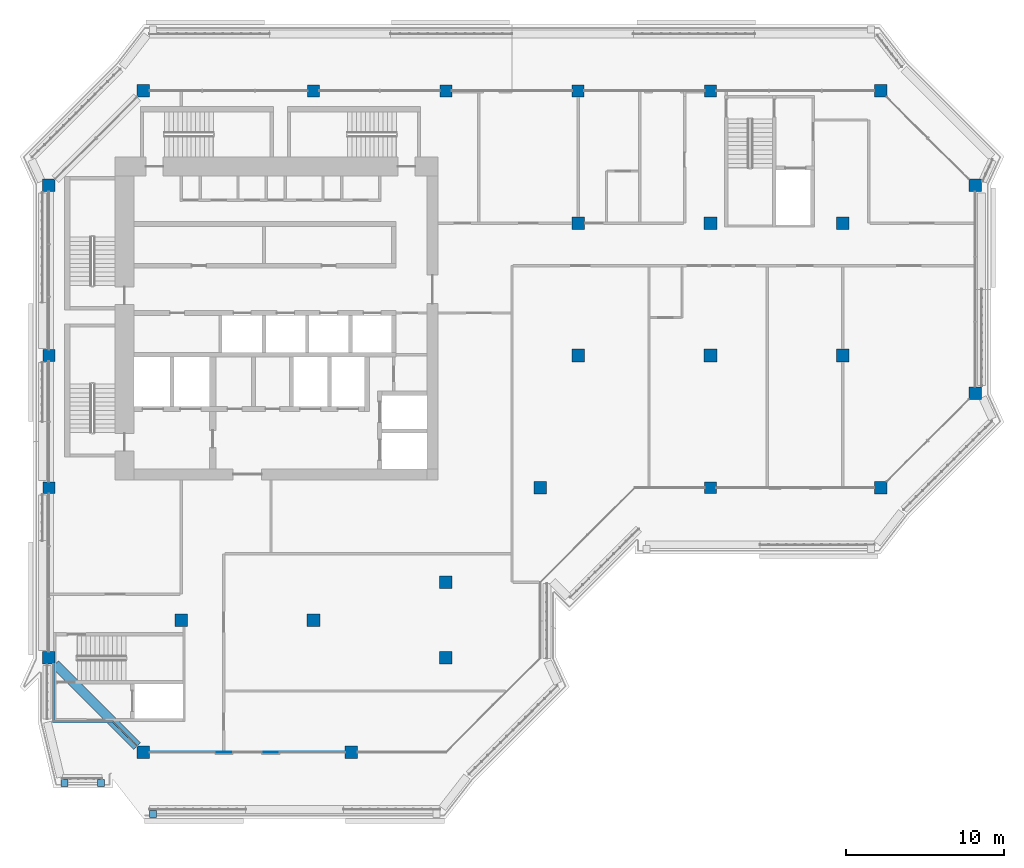
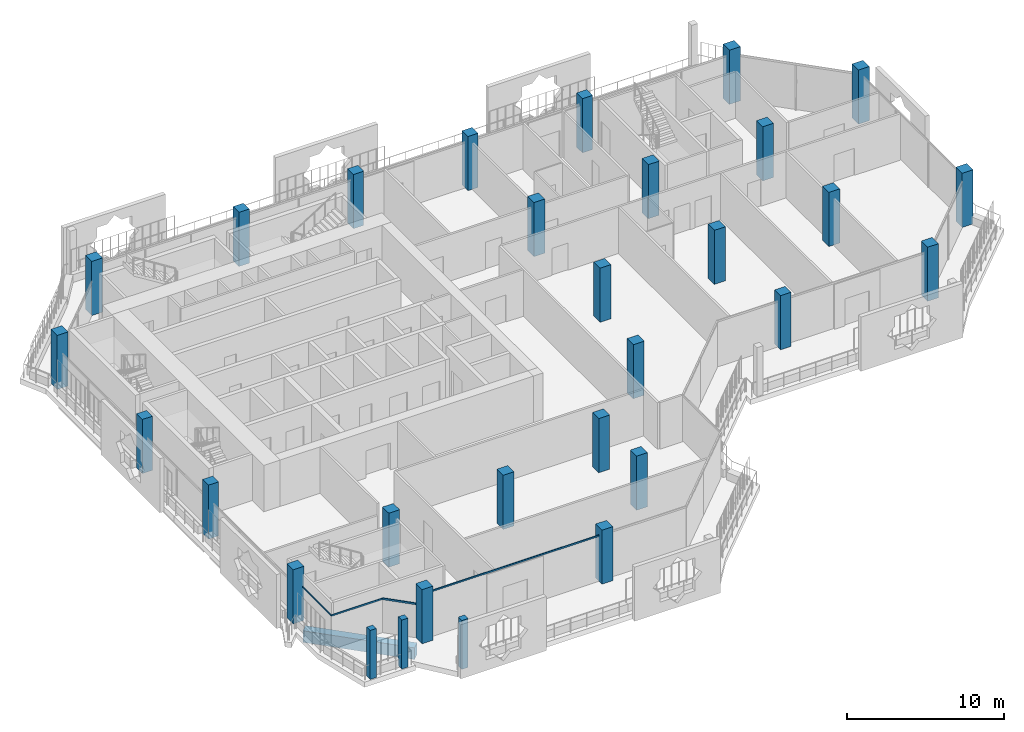
# One storey, part 1 of 21: 27 columns, 7 members, 1 beam, 5 elements without a shape of their own.
"""IFC4 building model written with IfcOpenShell, lengths in metres."""

from ifc_helpers import new_model, si_unit, direction, frame, origin, origin_2d, place, context, subcontext, project, spatial, rectangle, extrude, material, layer, layer_set, material_profile, profile_set, type_object, element, aggregate, save


model = new_model("IFC4")

# Units and contexts
model_context = context("Model", 3, precision=1e-05, world=origin(), true_north=direction((0.0, 1.0)))
body_context = subcontext(model_context, "Body", "Model", "MODEL_VIEW")
ifc_project = project(units=[si_unit("LENGTHUNIT", "METRE"), si_unit("AREAUNIT", "SQUARE_METRE"), si_unit("VOLUMEUNIT", "CUBIC_METRE"), si_unit("PLANEANGLEUNIT", "RADIAN"), si_unit("MASSUNIT", "GRAM", prefix="KILO")], contexts=[model_context])

# Site, building, storey
site_placement = place(None, origin())
site = spatial("IfcSite", under=ifc_project, at=site_placement, CompositionType="ELEMENT")
building_placement = place(site_placement, origin())
building = spatial("IfcBuilding", under=site, at=building_placement, Name="Kawkab Arch Medical Tower", CompositionType="ELEMENT")
storey_placement = place(building_placement, frame((0.0, 0.0, 302.800048828125)))
storey = spatial("IfcBuildingStorey", under=building, at=storey_placement, Name="L70", CompositionType="ELEMENT", Elevation=302.800048828125)

# Columns
ifc_material_1 = material(Name="Concrete C40/50", Category="concrete")
ifc_material_profile_1 = material_profile(ifc_material_1, rectangle(XDim=0.75, YDim=0.75, at=origin_2d()), Name="RC 750x750")
ifc_profile_set_1 = profile_set([ifc_material_profile_1], Name="Concrete C40/50")
column_type_1 = type_object("IfcColumnType", Name="RC 750x750 column C40/50", PredefinedType="COLUMN", material=ifc_profile_set_1)
for number, where, z_axis, x_axis, name in (
    (1, (16.800048828125, 0.0, 0.0), (0.0, 0.0, 1.0), (1.0, 0.0, 0.0), "Column RC 750x750"),
    (2, (25.199951171875, 0.0, 0.0), (0.0, 0.0, 1.0), (1.0, 0.0, 0.0), "Column RC 750x750"),
    (3, (33.60009765625, 0.0, 0.0), (0.0, 0.0, 1.0), (1.0, 0.0, 0.0), "Column RC 750x750"),
    (4, (42.0, 0.0, 0.0), (0.0, 0.0, 1.0), (1.0, 0.0, 0.0), "Column RC 750x750"),
    (5, (0.0, -16.800048828125, 0.0), (0.0, 0.0, 1.0), (1.0, 0.0, 0.0), "Column RC 750x750"),
    (6, (0.0, -25.199951171875, 0.0), (0.0, 0.0, 1.0), (1.0, 0.0, 0.0), "Column RC 750x750"),
    (7, (42.0, -25.199951171875, 0.0), (0.0, 0.0, 1.0), (1.0, 0.0, 0.0), "Column RC 750x750"),
):
    element("IfcColumn", number, at=place(storey_placement, frame(where, z_axis=z_axis, x_axis=x_axis)), inside=storey, type_object=column_type_1, Name=name, PredefinedType="COLUMN", context=body_context, shape_type="SweptSolid", body=[
        extrude(rectangle(XDim=0.75, YDim=0.75, at=origin_2d()), origin(), (0.0, 0.0, 1.0), 4.199951171875),
    ])
ifc_material_2 = material(Name="Concrete C40/50", Category="concrete")
ifc_material_profile_2 = material_profile(ifc_material_2, rectangle(XDim=0.800048828125, YDim=0.800048828125, at=origin_2d()), Name="RC 800x800")
ifc_profile_set_2 = profile_set([ifc_material_profile_2], Name="Concrete C40/50")
column_type_2 = type_object("IfcColumnType", Name="RC 800x800 column C40/50", PredefinedType="COLUMN", material=ifc_profile_set_2)
for number, where, z_axis, x_axis, name in (
    (8, (6.0, 0.0, 0.0), (0.0, 0.0, 1.0), (1.0, 0.0, 0.0), "Column RC 800x800"),
    (9, (52.800048828125, 0.0, 0.0), (0.0, 0.0, 1.0), (1.0, 0.0, 0.0), "Column RC 800x800"),
    (10, (0.0, -6.0, 0.0), (0.0, 0.0, 1.0), (1.0, 0.0, 0.0), "Column RC 800x800"),
    (11, (58.800048828125, -6.0, 0.0), (0.0, 0.0, 1.0), (1.0, 0.0, 0.0), "Column RC 800x800"),
    (12, (33.60009765625, -8.39990234375, 0.0), (0.0, 0.0, 1.0), (1.0, 0.0, 0.0), "Column RC 800x800"),
    (13, (42.0, -8.39990234375, 0.0), (0.0, 0.0, 1.0), (1.0, 0.0, 0.0), "Column RC 800x800"),
    (14, (50.39990234375, -8.39990234375, 0.0), (0.0, 0.0, 1.0), (1.0, 0.0, 0.0), "Column RC 800x800"),
    (15, (33.60009765625, -16.800048828125, 0.0), (0.0, 0.0, 1.0), (1.0, 0.0, 0.0), "Column RC 800x800"),
    (16, (42.0, -16.800048828125, 0.0), (0.0, 0.0, 1.0), (1.0, 0.0, 0.0), "Column RC 800x800"),
    (17, (50.39990234375, -16.800048828125, 0.0), (0.0, 0.0, 1.0), (1.0, 0.0, 0.0), "Column RC 800x800"),
    (18, (58.800048828125, -19.199951171875, 0.0), (0.0, 0.0, 1.0), (1.0, 0.0, 0.0), "Column RC 800x800"),
    (19, (31.199951171875, -25.199951171875, 0.0), (0.0, 0.0, 1.0), (1.0, 0.0, 0.0), "Column RC 800x800"),
    (20, (52.800048828125, -25.199951171875, 0.0), (0.0, 0.0, 1.0), (1.0, 0.0, 0.0), "Column RC 800x800"),
    (21, (25.199951171875, -31.199951171875, 0.0), (0.0, 0.0, 1.0), (1.0, 0.0, 0.0), "Column RC 800x800"),
    (22, (8.39990234375, -33.60009765625, 0.0), (0.0, 0.0, 1.0), (1.0, 0.0, 0.0), "Column RC 800x800"),
    (23, (16.800048828125, -33.60009765625, 0.0), (0.0, 0.0, 1.0), (1.0, 0.0, 0.0), "Column RC 800x800"),
    (24, (0.0, -36.0, 0.0), (0.0, 0.0, 1.0), (1.0, 0.0, 0.0), "Column RC 800x800"),
    (25, (25.199951171875, -36.0, 0.0), (0.0, 0.0, 1.0), (1.0, 0.0, 0.0), "Column RC 800x800"),
    (26, (6.0, -42.0, 0.0), (0.0, 0.0, 1.0), (1.0, 0.0, 0.0), "Column RC 800x800"),
    (27, (19.199951171875, -42.0, 0.0), (0.0, 0.0, 1.0), (1.0, 0.0, 0.0), "Column RC 800x800"),
):
    element("IfcColumn", number, at=place(storey_placement, frame(where, z_axis=z_axis, x_axis=x_axis)), inside=storey, type_object=column_type_2, Name=name, PredefinedType="COLUMN", context=body_context, shape_type="SweptSolid", body=[
        extrude(rectangle(XDim=0.800048828125, YDim=0.800048828125, at=origin_2d()), origin(), (0.0, 0.0, 1.0), 4.199951171875),
    ])

# Curtain wall, member
ifc_material_3 = material(Name="Bronze anodised aluminium curtain wall frame", Category="aluminium")
ifc_layer_1 = layer(ifc_material_3, 0.159912109375)
ifc_layer_set_1 = layer_set([ifc_layer_1], Name="Bronze anodised aluminium curtain wall frame")
curtain_wall_type_1 = type_object("IfcCurtainWallType", Name="CW1 ward curtain wall", PredefinedType="NOTDEFINED", material=ifc_layer_set_1)
placement = place(storey_placement, origin())
curtain_wall_1 = element("IfcCurtainWall", 28, at=placement, inside=storey, type_object=curtain_wall_type_1, Name="CW1 Ward curtain wall R04", PredefinedType="NOTDEFINED")
ifc_material_4 = material(Name="Bronze anodised aluminium curtain wall frame", Category="aluminium")
ifc_material_profile_3 = material_profile(ifc_material_4, rectangle(XDim=0.06005859375, YDim=0.1201171875, at=origin_2d()), Name="AL 60x120")
ifc_profile_set_3 = profile_set([ifc_material_profile_3], Name="Bronze anodised aluminium curtain wall frame")
member_type_1 = type_object("IfcMemberType", Name="CW1 transom 120 x 60", PredefinedType="USERDEFINED", material=ifc_profile_set_3)
member_1_placement = place(storey_placement, frame((0.300048828125, -36.39990234375, 2.639892578125), z_axis=(0.0, -1.0, 0.0), x_axis=(1.0, 0.0, 0.0)))
member_1 = element("IfcMember", 29, at=member_1_placement, type_object=member_type_1, Name="CW1 transom 1", ObjectType="TRANSOM", PredefinedType="USERDEFINED", context=body_context, shape_type="SweptSolid", body=[
    extrude(rectangle(XDim=0.06005859375, YDim=0.1201171875, at=origin_2d()), origin(), (0.0, 0.0, 1.0), 3.650146484375),
])
aggregate(curtain_wall_1, [member_1])

curtain_wall_2 = element("IfcCurtainWall", 30, at=placement, inside=storey, type_object=curtain_wall_type_1, Name="CW1 Ward curtain wall R05", PredefinedType="NOTDEFINED")
member_2_placement = place(storey_placement, frame((0.300048828125, -40.050048828125, 2.639892578125), z_axis=(1.0, 0.0, 0.0), x_axis=(0.0, 1.0, 0.0)))
member_2 = element("IfcMember", 31, at=member_2_placement, type_object=member_type_1, Name="CW1 transom 1", ObjectType="TRANSOM", PredefinedType="USERDEFINED", context=body_context, shape_type="SweptSolid", body=[
    extrude(rectangle(XDim=0.06005859375, YDim=0.1201171875, at=origin_2d()), origin(), (0.0, 0.0, 1.0), 3.75),
])
aggregate(curtain_wall_2, [member_2])

curtain_wall_3 = element("IfcCurtainWall", 32, at=placement, inside=storey, type_object=curtain_wall_type_1, Name="CW1 Ward curtain wall R07", PredefinedType="NOTDEFINED")
member_3_placement = place(storey_placement, frame((6.39990234375, -42.0, 3.5400390625), z_axis=(1.0, 0.0, 0.0), x_axis=(0.0, 1.0, 0.0)))
member_3 = element("IfcMember", 33, at=member_3_placement, type_object=member_type_1, Name="CW1 transom 1", ObjectType="TRANSOM", PredefinedType="USERDEFINED", context=body_context, shape_type="SweptSolid", body=[
    extrude(rectangle(XDim=0.06005859375, YDim=0.1201171875, at=origin_2d()), origin(), (0.0, 0.0, 1.0), 12.400146484375),
])
aggregate(curtain_wall_3, [member_3])

ifc_material_5 = material(Name="Bronze anodised aluminium curtain wall frame", Category="aluminium")
ifc_layer_2 = layer(ifc_material_5, 0.159912109375)
ifc_layer_set_2 = layer_set([ifc_layer_2], Name="Bronze anodised aluminium curtain wall frame")
curtain_wall_type_2 = type_object("IfcCurtainWallType", Name="CW2 chamfer curtain wall", PredefinedType="NOTDEFINED", material=ifc_layer_set_2)
curtain_wall_4 = element("IfcCurtainWall", 34, at=placement, inside=storey, type_object=curtain_wall_type_2, Name="CW2 Chamfer curtain wall R06", PredefinedType="NOTDEFINED")
ifc_material_6 = material(Name="Bronze anodised aluminium curtain wall frame", Category="aluminium")
ifc_material_profile_4 = material_profile(ifc_material_6, rectangle(XDim=0.06005859375, YDim=0.139892578125, at=origin_2d()), Name="AL 60x140")
ifc_profile_set_4 = profile_set([ifc_material_profile_4], Name="Bronze anodised aluminium curtain wall frame")
member_type_2 = type_object("IfcMemberType", Name="CW2 transom 140 x 60", PredefinedType="USERDEFINED", material=ifc_profile_set_4)
member_4_placement = place(storey_placement, frame((4.050048828125, -40.050048828125, 2.6298828125), z_axis=(0.707106781187, -0.707106781187, 0.0), x_axis=(0.707106781187, 0.707106781187, 0.0)))
member_4 = element("IfcMember", 35, at=member_4_placement, type_object=member_type_2, Name="CW2 transom 1", ObjectType="TRANSOM", PredefinedType="USERDEFINED", context=body_context, shape_type="SweptSolid", body=[
    extrude(rectangle(XDim=0.06005859375, YDim=0.139892578125, at=origin_2d()), origin(), (0.0, 0.0, 1.0), 2.192138671875),
])
aggregate(curtain_wall_4, [member_4])

# Curtain wall, members
ifc_material_7 = material(Name="Bronze anodised aluminium climber frame, planted", Category="aluminium")
ifc_layer_3 = layer(ifc_material_7, 0.449951171875)
ifc_layer_set_3 = layer_set([ifc_layer_3], Name="Bronze anodised aluminium climber frame, planted")
curtain_wall_type_3 = type_object("IfcCurtainWallType", Name="Planted climber frame", PredefinedType="NOTDEFINED", material=ifc_layer_set_3)
curtain_wall_5 = element("IfcCurtainWall", 36, at=placement, inside=storey, type_object=curtain_wall_type_3, Name="Planted climber frame L70", PredefinedType="NOTDEFINED")
ifc_material_8 = material(Name="Bronze anodised aluminium climber frame, planted", Category="aluminium")
ifc_material_profile_5 = material_profile(ifc_material_8, rectangle(XDim=0.449951171875, YDim=0.449951171875, at=origin_2d()), Name="Post 450x450")
ifc_profile_set_5 = profile_set([ifc_material_profile_5], Name="Bronze anodised aluminium climber frame, planted")
member_type_3 = type_object("IfcMemberType", Name="Planted climber post 450 x 450", PredefinedType="MULLION", material=ifc_profile_set_5)
member_5_placement = place(storey_placement, frame((3.300048828125, -43.949951171875, 0.0), z_axis=(0.0, 0.0, 1.0), x_axis=(1.0, 0.0, 0.0)))
member_5 = element("IfcMember", 37, at=member_5_placement, type_object=member_type_3, Name="Planted climber post L70.LOG-01-01.1", PredefinedType="MULLION", context=body_context, shape_type="SweptSolid", body=[
    extrude(rectangle(XDim=0.449951171875, YDim=0.449951171875, at=origin_2d()), origin(), (0.0, 0.0, 1.0), 3.800048828125),
])
member_6_placement = place(storey_placement, frame((0.987060546875, -43.949951171875, 0.0), z_axis=(0.0, 0.0, 1.0), x_axis=(1.0, 0.0, 0.0)))
member_6 = element("IfcMember", 38, at=member_6_placement, type_object=member_type_3, Name="Planted climber post L70.LOG-01-01.2", PredefinedType="MULLION", context=body_context, shape_type="SweptSolid", body=[
    extrude(rectangle(XDim=0.449951171875, YDim=0.449951171875, at=origin_2d()), origin(), (0.0, 0.0, 1.0), 3.800048828125),
])
member_7_placement = place(storey_placement, frame((6.596923828125, -45.89990234375, 0.0), z_axis=(0.0, 0.0, 1.0), x_axis=(1.0, 0.0, 0.0)))
member_7 = element("IfcMember", 39, at=member_7_placement, type_object=member_type_3, Name="Planted climber post L70.LOG-01-01.8", PredefinedType="MULLION", context=body_context, shape_type="SweptSolid", body=[
    extrude(rectangle(XDim=0.449951171875, YDim=0.449951171875, at=origin_2d()), origin(), (0.0, 0.0, 1.0), 3.800048828125),
])
aggregate(curtain_wall_5, [member_5, member_6, member_7])

# Beam
ifc_material_9 = material(Name="Concrete C40/50", Category="concrete")
ifc_material_profile_6 = material_profile(ifc_material_9, rectangle(XDim=0.60009765625, YDim=0.89990234375, at=origin_2d()), Name="RC 600x900")
ifc_profile_set_6 = profile_set([ifc_material_profile_6], Name="Concrete C40/50")
beam_type = type_object("IfcBeamType", Name="RC 600x900 beam C40/50", PredefinedType="BEAM", material=ifc_profile_set_6)
beam_placement = place(storey_placement, frame((5.60009765625, -41.60009765625, -1.050048828125), z_axis=(-0.707106781187, 0.707106781187, 0.0), x_axis=(-0.707106781187, -0.707106781187, 0.0)))
element("IfcBeam", 40, at=beam_placement, inside=storey, type_object=beam_type, Name="Overhang edge beam L70-02", PredefinedType="BEAM", context=body_context, shape_type="SweptSolid", body=[
    extrude(rectangle(XDim=0.60009765625, YDim=0.89990234375, at=origin_2d()), origin(), (0.0, 0.0, 1.0), 7.354248046875),
])

save(model, "model.ifc")
